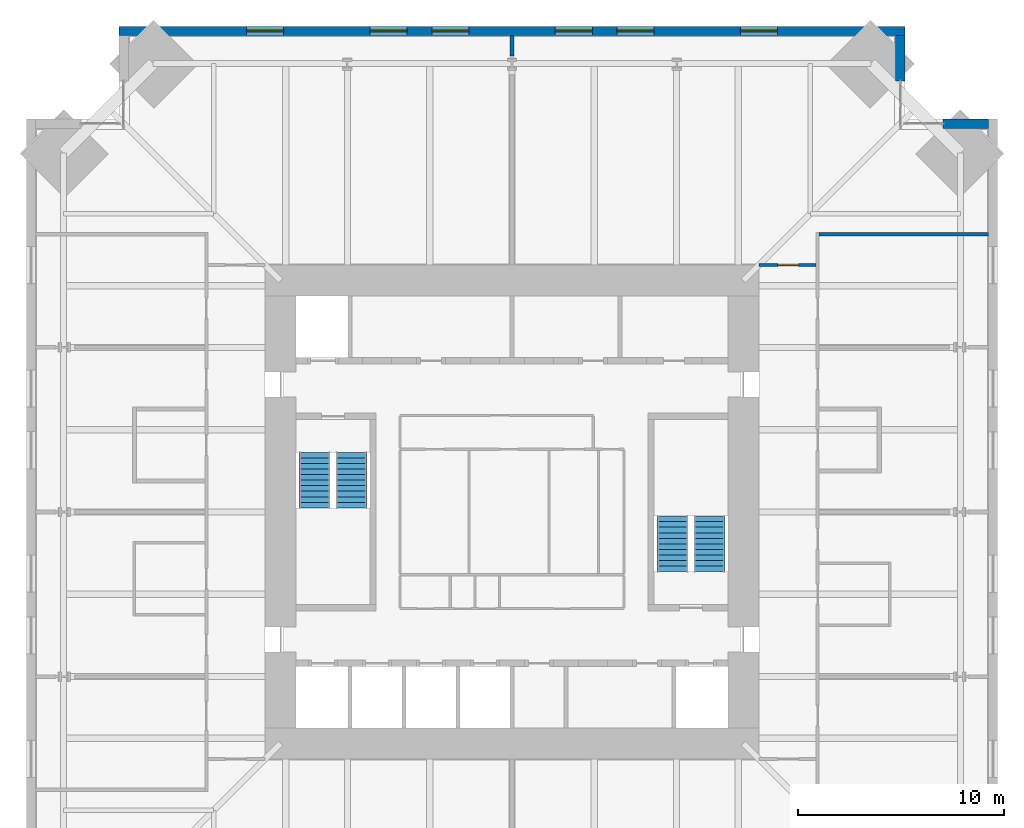
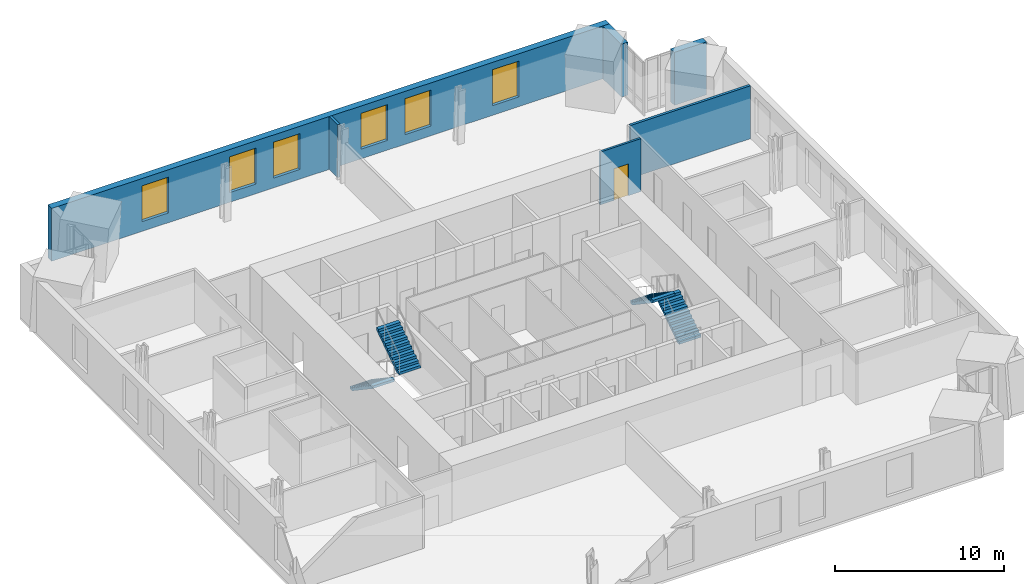
# One storey, part 14 of 15: 6 walls, 6 windows, 4 stair flights, 1 door, 7 openings, 2 elements without a shape of their own.
"""IFC4 building model written with IfcOpenShell, lengths in metres."""

import ifcopenshell
import ifcopenshell.guid

model = None  # the IFC model being written
_history = None  # IfcOwnerHistory: only IFC2X3 demands one
_inside = {}  # id of a spatial element -> (the spatial element, [elements in it])
_under = {}  # id of a project, library or spatial element -> (it, [spatial elements below it])
_declared = {}  # id of a project -> (the project, [libraries it declares])
_typed = {}  # id of a type object -> (the type object, [elements of that type])
_made_of = {}  # id of a material, layer set ... -> (it, [elements and type objects made of it])


def new_model(schema):
    """Start an empty IFC model of exactly this schema.

    Asked for "IFC4X3", IfcOpenShell would pick the latest addendum, in which some entities
    have other attributes; the version numbers below select the first issue.
    IFC2X3 requires an IfcOwnerHistory on every rooted entity: one is made here for all.
    """
    global model, _history
    if schema == "IFC4X3":
        model = ifcopenshell.file(schema_version=(4, 3, 0, 0))
    else:
        model = ifcopenshell.file(schema=schema)
    _inside.clear()
    _under.clear()
    _declared.clear()
    _typed.clear()
    _made_of.clear()
    _history = None
    if model.schema == "IFC2X3":
        org = make("IfcOrganization", Name="unknown")
        user = make(
            "IfcPersonAndOrganization",
            ThePerson=make("IfcPerson", FamilyName="unknown"),
            TheOrganization=org,
        )
        app = make(
            "IfcApplication",
            ApplicationDeveloper=org,
            Version="unknown",
            ApplicationFullName="unknown",
            ApplicationIdentifier="unknown",
        )
        _history = make(
            "IfcOwnerHistory",
            OwningUser=user,
            OwningApplication=app,
            ChangeAction="ADDED",
            CreationDate=0,
        )
    return model


def make(cls, **values):
    """One entity of the class cls with the attributes given. An attribute that is None is left unset."""
    return model.create_entity(
        cls, **{name: value for name, value in values.items() if value is not None}
    )


def rooted(cls, **values):
    """An entity with a GlobalId (a new one), such as an element, a storey or a relation."""
    return make(cls, GlobalId=ifcopenshell.guid.new(), OwnerHistory=_history, **values)


def si_unit(unit_type, name, prefix=None):
    """IfcSIUnit, for example si_unit("LENGTHUNIT", "METRE", prefix="MILLI")."""
    return make("IfcSIUnit", UnitType=unit_type, Prefix=prefix, Name=name)


def assignment(units):
    """IfcUnitAssignment: the units of a project."""
    return None if units is None else make("IfcUnitAssignment", Units=units)


def point(xyz):
    """IfcCartesianPoint."""
    return None if xyz is None else make("IfcCartesianPoint", Coordinates=xyz)


def direction(xyz):
    """IfcDirection."""
    return None if xyz is None else make("IfcDirection", DirectionRatios=xyz)


def frame(location, z_axis=None, x_axis=None):
    """IfcAxis2Placement3D, a coordinate frame: its origin and axes. An axis left out is left unset."""
    return make(
        "IfcAxis2Placement3D",
        Location=point(location),
        Axis=direction(z_axis),
        RefDirection=direction(x_axis),
    )


def frame_2d(location, x_axis=None):
    """IfcAxis2Placement2D, a coordinate frame in the plane: its origin and x axis."""
    return make(
        "IfcAxis2Placement2D", Location=point(location), RefDirection=direction(x_axis)
    )


def origin():
    """The frame at (0, 0, 0) with its axes left unset."""
    return frame((0.0, 0.0, 0.0))


def place(relative_to, where):
    """IfcLocalPlacement: puts the frame where relative to a parent placement (None: the world)."""
    return make(
        "IfcLocalPlacement", PlacementRelTo=relative_to, RelativePlacement=where
    )


def context(
    kind, dimensions, precision=None, world=None, true_north=None, identifier=None
):
    """IfcGeometricRepresentationContext, for example the 3D "Model" context."""
    return make(
        "IfcGeometricRepresentationContext",
        ContextIdentifier=identifier,
        ContextType=kind,
        CoordinateSpaceDimension=dimensions,
        Precision=precision,
        WorldCoordinateSystem=world,
        TrueNorth=true_north,
    )


def subcontext(parent, identifier, kind, view, scale=None):
    """IfcGeometricRepresentationSubContext, for example "Body" below "Model"."""
    return make(
        "IfcGeometricRepresentationSubContext",
        ContextIdentifier=identifier,
        ContextType=kind,
        ParentContext=parent,
        TargetScale=scale,
        TargetView=view,
    )


def project(units=None, contexts=None):
    """IfcProject with its units and contexts."""
    return rooted(
        "IfcProject",
        Name="project",
        RepresentationContexts=contexts,
        UnitsInContext=assignment(units),
    )


def spatial(cls, under=None, at=None, **own):
    """A site, building, storey or space (cls), placed at a placement, below another one or the project."""
    s = rooted(cls, ObjectPlacement=at, **own)
    if under is not None:
        _under.setdefault(under.id(), (under, []))[1].append(s)
    return s


def polyline(points):
    """IfcPolyline through the points."""
    return make("IfcPolyline", Points=[point(p) for p in points])


def profile(cls, at=None, kind="AREA", **sizes):
    """A parametric profile (cls). Its sizes go by their IFC names, for example OverallWidth=200.0."""
    return make(cls, ProfileType=kind, Position=at, **sizes)


def rectangle(**sizes):
    """IfcRectangleProfileDef."""
    return profile("IfcRectangleProfileDef", **sizes)


def outline(outer, holes=None, kind="AREA"):
    """IfcArbitraryClosedProfileDef: a profile drawn as a closed curve; with holes, ...WithVoids."""
    if holes is None:
        return make("IfcArbitraryClosedProfileDef", ProfileType=kind, OuterCurve=outer)
    return make(
        "IfcArbitraryProfileDefWithVoids",
        ProfileType=kind,
        OuterCurve=outer,
        InnerCurves=holes,
    )


def extrude(swept, where, along, depth):
    """IfcExtrudedAreaSolid: the profile swept, set in the frame where, extruded along a direction by depth."""
    return make(
        "IfcExtrudedAreaSolid",
        SweptArea=swept,
        Position=where,
        ExtrudedDirection=direction(along),
        Depth=depth,
    )


def shape(context_of_items, identifier, shape_type, items):
    """IfcShapeRepresentation: the items that make up one representation, for example the "Body"."""
    return make(
        "IfcShapeRepresentation",
        ContextOfItems=context_of_items,
        RepresentationIdentifier=identifier,
        RepresentationType=shape_type,
        Items=items,
    )


def material(Name=None, Category=None):
    """IfcMaterial."""
    return make("IfcMaterial", Name=Name, Category=Category)


def layer(
    of_material, thickness, ventilated=None, Name=None, Category=None, Priority=None
):
    """IfcMaterialLayer: one layer of a wall or slab, of a material (None: an air gap)."""
    return make(
        "IfcMaterialLayer",
        Material=of_material,
        LayerThickness=thickness,
        IsVentilated=ventilated,
        Name=Name,
        Category=Category,
        Priority=Priority,
    )


def layer_set(layers, Name=None):
    """IfcMaterialLayerSet."""
    return make("IfcMaterialLayerSet", MaterialLayers=layers, LayerSetName=Name)


def made_of(thing, what):
    """Note that an element or type object is made of a material, layer set ...; save() writes the relation."""
    if what is not None:
        _made_of.setdefault(what.id(), (what, []))[1].append(thing)
    return thing


def type_object(cls, material=None, **own):
    """A type object (cls), such as IfcWallType, which elements share."""
    return made_of(rooted(cls, **own), material)


def element(
    cls,
    number,
    at=None,
    inside=None,
    cuts=None,
    type_object=None,
    material=None,
    context=None,
    identifier="Body",
    shape_type=None,
    held_by="IfcProductDefinitionShape",
    body=None,
    shapes=None,
    **own,
):
    """One element of the class cls, such as IfcWall. Its Tag is "e" and its number.

    at: its placement. inside: the storey or other place that contains it. cuts: it is an
    opening in that element (IfcRelVoidsElement). A single representation is given by context,
    identifier, shape_type and body (its items); several are given by shapes. held_by: the class
    of the entity that holds the representations. save() writes the other relations.
    """
    e = rooted(cls, Tag="e%d" % number, ObjectPlacement=at, **own)
    if body is not None:
        shapes = [shape(context, identifier, shape_type, body)]
    if shapes is not None:
        e.Representation = make(held_by, Representations=shapes)
    if inside is not None:
        _inside.setdefault(inside.id(), (inside, []))[1].append(e)
    if cuts is not None:
        rooted(
            "IfcRelVoidsElement", RelatingBuildingElement=cuts, RelatedOpeningElement=e
        )
    if type_object is not None:
        _typed.setdefault(type_object.id(), (type_object, []))[1].append(e)
    return made_of(e, material)


def fill(opening, filler):
    """IfcRelFillsElement: the door or window that sits in an opening."""
    return rooted(
        "IfcRelFillsElement",
        RelatingOpeningElement=opening,
        RelatedBuildingElement=filler,
    )


def aggregate(whole, parts):
    """IfcRelAggregates: a whole, such as a stair, and the parts it consists of."""
    return rooted("IfcRelAggregates", RelatingObject=whole, RelatedObjects=parts)


def save(model, path):
    """Write the relations noted so far, then the file.

    IfcRelAggregates (storeys below a building ...), IfcRelContainedInSpatialStructure (elements
    in a storey), IfcRelDefinesByType, IfcRelAssociatesMaterial and IfcRelDeclares: one each for
    every whole, place, type object, material and project.
    """
    for whole, parts in _under.values():
        aggregate(whole, parts)
    for where, things in _inside.values():
        rooted(
            "IfcRelContainedInSpatialStructure",
            RelatedElements=things,
            RelatingStructure=where,
        )
    for kind, things in _typed.values():
        rooted("IfcRelDefinesByType", RelatedObjects=things, RelatingType=kind)
    for what, things in _made_of.values():
        rooted("IfcRelAssociatesMaterial", RelatedObjects=things, RelatingMaterial=what)
    for by, libraries in _declared.values():
        rooted("IfcRelDeclares", RelatingContext=by, RelatedDefinitions=libraries)
    model.write(path)


model = new_model("IFC4")

# Units and contexts
model_context = context("Model", 3, precision=1e-05, world=origin(), true_north=direction((0.0, 1.0)))
body_context = subcontext(model_context, "Body", "Model", "MODEL_VIEW")
ifc_project = project(units=[si_unit("LENGTHUNIT", "METRE"), si_unit("AREAUNIT", "SQUARE_METRE"), si_unit("VOLUMEUNIT", "CUBIC_METRE"), si_unit("PLANEANGLEUNIT", "RADIAN"), si_unit("MASSUNIT", "GRAM", prefix="KILO")], contexts=[model_context])

# Site, building, storey
site_placement = place(None, origin())
site = spatial("IfcSite", under=ifc_project, at=site_placement, CompositionType="ELEMENT")
building_placement = place(site_placement, origin())
building = spatial("IfcBuilding", under=site, at=building_placement, Name="Peilmerk Tower", CompositionType="ELEMENT")
storey_placement = place(building_placement, frame((0.0, 0.0, 225.800048828125)))
storey = spatial("IfcBuildingStorey", under=building, at=storey_placement, Name="L49", CompositionType="ELEMENT", Elevation=225.800048828125)

# Wall, openings, windows
ifc_material_1 = material(Name="Precast concrete C45/55, board-marked finish", Category="concrete")
ifc_layer_1 = layer(ifc_material_1, 0.449951171875)
ifc_layer_set_1 = layer_set([ifc_layer_1], Name="Precast concrete C45/55, board-marked finish")
wall_type_1 = type_object("IfcWallType", Name="EW1 450 precast concrete facade wall, board-marked", PredefinedType="SOLIDWALL", material=ifc_layer_set_1)
wall_1_placement = place(storey_placement, frame((19.10009765625, 23.375, 0.0), z_axis=(0.0, 0.0, 1.0), x_axis=(-1.0, 0.0, 0.0)))
wall_1 = element("IfcWall", 1, at=wall_1_placement, inside=storey, type_object=wall_type_1, Name="Facade wall N L49", PredefinedType="SOLIDWALL", context=body_context, shape_type="SweptSolid", body=[
    extrude(rectangle(XDim=38.2001953125, YDim=0.449951171875, at=frame_2d((19.10009765625, 0.0))), origin(), (0.0, 0.0, 1.0), 3.829833984375),
])
opening_1_placement = place(wall_1_placement, frame((6.199951171875, 0.0, 0.699951171875)))
opening_1 = element("IfcOpeningElement", 2, at=opening_1_placement, cuts=wall_1, Name="Opening W1", PredefinedType="OPENING", context=body_context, shape_type="SweptSolid", body=[
    extrude(rectangle(XDim=1.800048828125, YDim=2.60009765625, at=frame_2d((0.89990234375, 1.300048828125))), frame((0.0, 0.23486328125, 0.0), z_axis=(0.0, -1.0, 0.0), x_axis=(1.0, 0.0, 0.0)), (0.0, 0.0, 1.0), 0.469970703125),
])
opening_2_placement = place(wall_1_placement, frame((12.199951171875, 0.0, 0.699951171875)))
opening_2 = element("IfcOpeningElement", 3, at=opening_2_placement, cuts=wall_1, Name="Opening W1", PredefinedType="OPENING", context=body_context, shape_type="SweptSolid", body=[
    extrude(rectangle(XDim=1.800048828125, YDim=2.60009765625, at=frame_2d((0.89990234375, 1.300048828125))), frame((0.0, 0.23486328125, 0.0), z_axis=(0.0, -1.0, 0.0), x_axis=(1.0, 0.0, 0.0)), (0.0, 0.0, 1.0), 0.469970703125),
])
opening_3_placement = place(wall_1_placement, frame((15.199951171875, 0.0, 0.699951171875)))
opening_3 = element("IfcOpeningElement", 4, at=opening_3_placement, cuts=wall_1, Name="Opening W1", PredefinedType="OPENING", context=body_context, shape_type="SweptSolid", body=[
    extrude(rectangle(XDim=1.800048828125, YDim=2.60009765625, at=frame_2d((0.89990234375, 1.300048828125))), frame((0.0, 0.23486328125, 0.0), z_axis=(0.0, -1.0, 0.0), x_axis=(1.0, 0.0, 0.0)), (0.0, 0.0, 1.0), 0.469970703125),
])
opening_4_placement = place(wall_1_placement, frame((21.199951171875, 0.0, 0.699951171875)))
opening_4 = element("IfcOpeningElement", 5, at=opening_4_placement, cuts=wall_1, Name="Opening W1", PredefinedType="OPENING", context=body_context, shape_type="SweptSolid", body=[
    extrude(rectangle(XDim=1.800048828125, YDim=2.60009765625, at=frame_2d((0.89990234375, 1.300048828125))), frame((0.0, 0.23486328125, 0.0), z_axis=(0.0, -1.0, 0.0), x_axis=(1.0, 0.0, 0.0)), (0.0, 0.0, 1.0), 0.469970703125),
])
opening_5_placement = place(wall_1_placement, frame((24.199951171875, 0.0, 0.699951171875)))
opening_5 = element("IfcOpeningElement", 6, at=opening_5_placement, cuts=wall_1, Name="Opening W1", PredefinedType="OPENING", context=body_context, shape_type="SweptSolid", body=[
    extrude(rectangle(XDim=1.800048828125, YDim=2.60009765625, at=frame_2d((0.89990234375, 1.300048828125))), frame((0.0, 0.23486328125, 0.0), z_axis=(0.0, -1.0, 0.0), x_axis=(1.0, 0.0, 0.0)), (0.0, 0.0, 1.0), 0.469970703125),
])
opening_6_placement = place(wall_1_placement, frame((30.199951171875, 0.0, 0.699951171875)))
opening_6 = element("IfcOpeningElement", 7, at=opening_6_placement, cuts=wall_1, Name="Opening W1", PredefinedType="OPENING", context=body_context, shape_type="SweptSolid", body=[
    extrude(rectangle(XDim=1.800048828125, YDim=2.60009765625, at=frame_2d((0.89990234375, 1.300048828125))), frame((0.0, 0.23486328125, 0.0), z_axis=(0.0, -1.0, 0.0), x_axis=(1.0, 0.0, 0.0)), (0.0, 0.0, 1.0), 0.469970703125),
])
ifc_material_2 = material(Name="Aluminium frame, clear double glazing", Category="aluminium")
window_type = type_object("IfcWindowType", Name="W1 1800x2600 office window", PartitioningType="SINGLE_PANEL", PredefinedType="WINDOW", material=ifc_material_2)
window_1_placement = place(opening_1_placement, origin())
window_1 = element("IfcWindow", 8, at=window_1_placement, inside=storey, type_object=window_type, Name="Window W1 L49", OverallHeight=2.60009765625, OverallWidth=1.800048828125, PartitioningType="SINGLE_PANEL", PredefinedType="WINDOW", context=body_context, shape_type="SweptSolid", body=[
    extrude(rectangle(XDim=1.800048828125, YDim=2.60009765625, at=frame_2d((0.89990234375, 1.300048828125))), frame((0.0, 0.030029296875, 0.0), z_axis=(0.0, -1.0, 0.0), x_axis=(1.0, 0.0, 0.0)), (0.0, 0.0, 1.0), 0.06005859375),
])
fill(opening_1, window_1)
window_2_placement = place(opening_2_placement, origin())
window_2 = element("IfcWindow", 9, at=window_2_placement, inside=storey, type_object=window_type, Name="Window W1 L49", OverallHeight=2.60009765625, OverallWidth=1.800048828125, PartitioningType="SINGLE_PANEL", PredefinedType="WINDOW", context=body_context, shape_type="SweptSolid", body=[
    extrude(rectangle(XDim=1.800048828125, YDim=2.60009765625, at=frame_2d((0.89990234375, 1.300048828125))), frame((0.0, 0.030029296875, 0.0), z_axis=(0.0, -1.0, 0.0), x_axis=(1.0, 0.0, 0.0)), (0.0, 0.0, 1.0), 0.06005859375),
])
fill(opening_2, window_2)
window_3_placement = place(opening_3_placement, origin())
window_3 = element("IfcWindow", 10, at=window_3_placement, inside=storey, type_object=window_type, Name="Window W1 L49", OverallHeight=2.60009765625, OverallWidth=1.800048828125, PartitioningType="SINGLE_PANEL", PredefinedType="WINDOW", context=body_context, shape_type="SweptSolid", body=[
    extrude(rectangle(XDim=1.800048828125, YDim=2.60009765625, at=frame_2d((0.89990234375, 1.300048828125))), frame((0.0, 0.030029296875, 0.0), z_axis=(0.0, -1.0, 0.0), x_axis=(1.0, 0.0, 0.0)), (0.0, 0.0, 1.0), 0.06005859375),
])
fill(opening_3, window_3)
window_4_placement = place(opening_4_placement, origin())
window_4 = element("IfcWindow", 11, at=window_4_placement, inside=storey, type_object=window_type, Name="Window W1 L49", OverallHeight=2.60009765625, OverallWidth=1.800048828125, PartitioningType="SINGLE_PANEL", PredefinedType="WINDOW", context=body_context, shape_type="SweptSolid", body=[
    extrude(rectangle(XDim=1.800048828125, YDim=2.60009765625, at=frame_2d((0.89990234375, 1.300048828125))), frame((0.0, 0.030029296875, 0.0), z_axis=(0.0, -1.0, 0.0), x_axis=(1.0, 0.0, 0.0)), (0.0, 0.0, 1.0), 0.06005859375),
])
fill(opening_4, window_4)
window_5_placement = place(opening_5_placement, origin())
window_5 = element("IfcWindow", 12, at=window_5_placement, inside=storey, type_object=window_type, Name="Window W1 L49", OverallHeight=2.60009765625, OverallWidth=1.800048828125, PartitioningType="SINGLE_PANEL", PredefinedType="WINDOW", context=body_context, shape_type="SweptSolid", body=[
    extrude(rectangle(XDim=1.800048828125, YDim=2.60009765625, at=frame_2d((0.89990234375, 1.300048828125))), frame((0.0, 0.030029296875, 0.0), z_axis=(0.0, -1.0, 0.0), x_axis=(1.0, 0.0, 0.0)), (0.0, 0.0, 1.0), 0.06005859375),
])
fill(opening_5, window_5)
window_6_placement = place(opening_6_placement, origin())
window_6 = element("IfcWindow", 13, at=window_6_placement, inside=storey, type_object=window_type, Name="Window W1 L49", OverallHeight=2.60009765625, OverallWidth=1.800048828125, PartitioningType="SINGLE_PANEL", PredefinedType="WINDOW", context=body_context, shape_type="SweptSolid", body=[
    extrude(rectangle(XDim=1.800048828125, YDim=2.60009765625, at=frame_2d((0.89990234375, 1.300048828125))), frame((0.0, 0.030029296875, 0.0), z_axis=(0.0, -1.0, 0.0), x_axis=(1.0, 0.0, 0.0)), (0.0, 0.0, 1.0), 0.06005859375),
])
fill(opening_6, window_6)

# Walls
for number, where, z_axis, x_axis, name in (
    (14, (18.875, 20.95361328125, 0.0), (0.0, 0.0, 1.0), (0.0, 1.0, 0.0), "Facade wall NEA L49"),
    (15, (20.95361328125, 18.875, 0.0), (0.0, 0.0, 1.0), (1.0, 0.0, 0.0), "Facade wall NEB L49"),
):
    element("IfcWall", number, at=place(storey_placement, frame(where, z_axis=z_axis, x_axis=x_axis)), inside=storey, type_object=wall_type_1, Name=name, PredefinedType="SOLIDWALL", context=body_context, shape_type="SweptSolid", body=[
        extrude(rectangle(XDim=2.1962890625, YDim=0.449951171875, at=frame_2d((1.09814453125, 0.0))), origin(), (0.0, 0.0, 1.0), 3.829833984375),
    ])

# Wall, opening, door
ifc_material_3 = material(Name="Calcium silicate block", Category="masonry")
ifc_layer_2 = layer(ifc_material_3, 0.14990234375)
ifc_layer_set_2 = layer_set([ifc_layer_2], Name="Calcium silicate block")
wall_type_2 = type_object("IfcWallType", Name="IW1 150 corridor partition, EI 60", PredefinedType="PARTITIONING", material=ifc_layer_set_2)
wall_2_placement = place(storey_placement, frame((12.0, 12.0, 0.0), z_axis=(0.0, 0.0, 1.0), x_axis=(1.0, 0.0, 0.0)))
wall_2 = element("IfcWall", 16, at=wall_2_placement, inside=storey, type_object=wall_type_2, Name="Corridor wall NE L49", PredefinedType="PARTITIONING", context=body_context, shape_type="SweptSolid", body=[
    extrude(rectangle(XDim=2.77490234375, YDim=0.14990234375, at=frame_2d((1.387451171875, 0.0))), origin(), (0.0, 0.0, 1.0), 3.829833984375),
])
opening_7_placement = place(wall_2_placement, frame((0.925048828125, 0.0, 0.0)))
opening_7 = element("IfcOpeningElement", 17, at=opening_7_placement, cuts=wall_2, Name="Opening D1", PredefinedType="OPENING", context=body_context, shape_type="SweptSolid", body=[
    extrude(rectangle(XDim=1.0, YDim=2.300048828125, at=frame_2d((0.5, 1.14990234375))), frame((0.0, 0.0849609375, 0.0), z_axis=(0.0, -1.0, 0.0), x_axis=(1.0, 0.0, 0.0)), (0.0, 0.0, 1.0), 0.169921875),
])
ifc_material_4 = material(Name="Timber door in steel frame", Category="steel")
door_type = type_object("IfcDoorType", Name="D1 1000x2300 room door, EI2 30", OperationType="SINGLE_SWING_LEFT", PredefinedType="DOOR", material=ifc_material_4)
door_placement = place(opening_7_placement, origin())
door = element("IfcDoor", 18, at=door_placement, inside=storey, type_object=door_type, Name="Door Office L49", OperationType="SINGLE_SWING_LEFT", OverallHeight=2.300048828125, OverallWidth=1.0, PredefinedType="DOOR", context=body_context, shape_type="SweptSolid", body=[
    extrude(rectangle(XDim=1.0, YDim=2.300048828125, at=frame_2d((0.5, 1.14990234375))), frame((0.0, 0.02490234375, 0.0), z_axis=(0.0, -1.0, 0.0), x_axis=(1.0, 0.0, 0.0)), (0.0, 0.0, 1.0), 0.050048828125),
])
fill(opening_7, door)

# Walls
ifc_layer_3 = layer(ifc_material_3, 0.175048828125)
ifc_layer_set_3 = layer_set([ifc_layer_3], Name="Calcium silicate block")
wall_type_3 = type_object("IfcWallType", Name="IW8 175 tenant separating wall, EI 60", PredefinedType="PARTITIONING", material=ifc_layer_set_3)
wall_3_placement = place(storey_placement, frame((14.925048828125, 13.5, 0.0), z_axis=(0.0, 0.0, 1.0), x_axis=(1.0, 0.0, 0.0)))
element("IfcWall", 19, at=wall_3_placement, inside=storey, type_object=wall_type_3, Name="Tenant separating wall NE L49", PredefinedType="PARTITIONING", context=body_context, shape_type="SweptSolid", body=[
    extrude(rectangle(XDim=8.224853515625, YDim=0.175048828125, at=frame_2d((4.1123046875, 0.0))), origin(), (0.0, 0.0, 1.0), 3.829833984375),
])
wall_4_placement = place(storey_placement, frame((0.0, 22.156005859375, 0.0), z_axis=(0.0, 0.0, 1.0), x_axis=(0.0, 1.0, 0.0)))
element("IfcWall", 20, at=wall_4_placement, inside=storey, type_object=wall_type_3, Name="Tenant separating wall N1b L49", PredefinedType="PARTITIONING", context=body_context, shape_type="SweptSolid", body=[
    extrude(rectangle(XDim=0.993896484375, YDim=0.175048828125, at=frame_2d((0.4970703125, 0.0))), origin(), (0.0, 0.0, 1.0), 3.829833984375),
])

# Stair, stair flights
ifc_material_5 = material(Name="Precast concrete C45/55", Category="concrete")
stair_type_1 = type_object("IfcStairType", Name="ST1 22 risers of 181.8", PredefinedType="HALF_TURN_STAIR", material=ifc_material_5)
stair_1_placement = place(storey_placement, origin())
stair_1 = element("IfcStair", 21, at=stair_1_placement, inside=storey, type_object=stair_type_1, Name="Stair 1 L49 to L50", PredefinedType="HALF_TURN_STAIR")
stair_flight_type = type_object("IfcStairFlightType", Name="SF11 flight, 11 risers of 181.8", PredefinedType="STRAIGHT", material=ifc_material_5)
stair_flight_1_placement = place(storey_placement, frame((-9.60009765625, 2.89990234375, 0.0), z_axis=(0.0, 0.0, 1.0), x_axis=(0.0, -1.0, 0.0)))
stair_flight_1 = element("IfcStairFlight", 22, at=stair_flight_1_placement, type_object=stair_flight_type, Name="ST1 flight 1", NumberOfRisers=11, NumberOfTreads=10, PredefinedType="STRAIGHT", RiserHeight=0.181818182, TreadLength=0.27, context=body_context, shape_type="SweptSolid", body=[
    extrude(outline(polyline([(0.0, 0.0), (0.0, 0.181884765625), (0.27001953125, 0.181884765625), (0.27001953125, 0.363525390625), (0.5400390625, 0.363525390625), (0.5400390625, 0.54541015625), (0.81005859375, 0.54541015625), (0.81005859375, 0.727294921875), (1.080078125, 0.727294921875), (1.080078125, 0.9091796875), (1.35009765625, 0.9091796875), (1.35009765625, 1.0908203125), (1.6201171875, 1.0908203125), (1.6201171875, 1.272705078125), (1.889892578125, 1.272705078125), (1.889892578125, 1.45458984375), (2.159912109375, 1.45458984375), (2.159912109375, 1.636474609375), (2.429931640625, 1.636474609375), (2.429931640625, 1.818115234375), (2.699951171875, 1.818115234375), (2.699951171875, 2.0), (2.699951171875, 1.637451171875), (0.268310546875, 0.0), (0.0, 0.0)])), frame((0.0, 0.75, 0.0), z_axis=(0.0, -1.0, 0.0), x_axis=(1.0, 0.0, 0.0)), (0.0, 0.0, 1.0), 1.5),
])
stair_flight_2_placement = place(storey_placement, frame((-7.800048828125, 0.199951171875, 2.0), z_axis=(0.0, 0.0, 1.0), x_axis=(0.0, 1.0, 0.0)))
stair_flight_2 = element("IfcStairFlight", 23, at=stair_flight_2_placement, type_object=stair_flight_type, Name="ST1 flight 2", NumberOfRisers=11, NumberOfTreads=10, PredefinedType="STRAIGHT", RiserHeight=0.181818182, TreadLength=0.27, context=body_context, shape_type="SweptSolid", body=[
    extrude(outline(polyline([(0.0, 0.0), (0.0, 0.181884765625), (0.27001953125, 0.181884765625), (0.27001953125, 0.363525390625), (0.5400390625, 0.363525390625), (0.5400390625, 0.54541015625), (0.81005859375, 0.54541015625), (0.81005859375, 0.727294921875), (1.080078125, 0.727294921875), (1.080078125, 0.9091796875), (1.35009765625, 0.9091796875), (1.35009765625, 1.0908203125), (1.6201171875, 1.0908203125), (1.6201171875, 1.272705078125), (1.889892578125, 1.272705078125), (1.889892578125, 1.45458984375), (2.159912109375, 1.45458984375), (2.159912109375, 1.636474609375), (2.429931640625, 1.636474609375), (2.429931640625, 1.818115234375), (2.699951171875, 1.818115234375), (2.699951171875, 2.0), (2.699951171875, 1.637451171875), (0.268310546875, 0.0), (0.0, 0.0)])), frame((0.0, 0.75, 0.0), z_axis=(0.0, -1.0, 0.0), x_axis=(1.0, 0.0, 0.0)), (0.0, 0.0, 1.0), 1.5),
])
aggregate(stair_1, [stair_flight_1, stair_flight_2])

stair_type_2 = type_object("IfcStairType", Name="ST2 22 risers of 181.8", PredefinedType="HALF_TURN_STAIR", material=ifc_material_5)
stair_2_placement = place(storey_placement, origin())
stair_2 = element("IfcStair", 24, at=stair_2_placement, inside=storey, type_object=stair_type_2, Name="Stair 2 L49 to L50", PredefinedType="HALF_TURN_STAIR")
stair_flight_3_placement = place(storey_placement, frame((9.60009765625, -2.89990234375, 0.0), z_axis=(0.0, 0.0, 1.0), x_axis=(0.0, 1.0, 0.0)))
stair_flight_3 = element("IfcStairFlight", 25, at=stair_flight_3_placement, type_object=stair_flight_type, Name="ST2 flight 1", NumberOfRisers=11, NumberOfTreads=10, PredefinedType="STRAIGHT", RiserHeight=0.181818182, TreadLength=0.27, context=body_context, shape_type="SweptSolid", body=[
    extrude(outline(polyline([(0.0, 0.0), (0.0, 0.181884765625), (0.27001953125, 0.181884765625), (0.27001953125, 0.363525390625), (0.5400390625, 0.363525390625), (0.5400390625, 0.54541015625), (0.81005859375, 0.54541015625), (0.81005859375, 0.727294921875), (1.080078125, 0.727294921875), (1.080078125, 0.9091796875), (1.35009765625, 0.9091796875), (1.35009765625, 1.0908203125), (1.6201171875, 1.0908203125), (1.6201171875, 1.272705078125), (1.889892578125, 1.272705078125), (1.889892578125, 1.45458984375), (2.159912109375, 1.45458984375), (2.159912109375, 1.636474609375), (2.429931640625, 1.636474609375), (2.429931640625, 1.818115234375), (2.699951171875, 1.818115234375), (2.699951171875, 2.0), (2.699951171875, 1.637451171875), (0.268310546875, 0.0), (0.0, 0.0)])), frame((0.0, 0.75, 0.0), z_axis=(0.0, -1.0, 0.0), x_axis=(1.0, 0.0, 0.0)), (0.0, 0.0, 1.0), 1.5),
])
stair_flight_4_placement = place(storey_placement, frame((7.800048828125, -0.199951171875, 2.0), z_axis=(0.0, 0.0, 1.0), x_axis=(0.0, -1.0, 0.0)))
stair_flight_4 = element("IfcStairFlight", 26, at=stair_flight_4_placement, type_object=stair_flight_type, Name="ST2 flight 2", NumberOfRisers=11, NumberOfTreads=10, PredefinedType="STRAIGHT", RiserHeight=0.181818182, TreadLength=0.27, context=body_context, shape_type="SweptSolid", body=[
    extrude(outline(polyline([(0.0, 0.0), (0.0, 0.181884765625), (0.27001953125, 0.181884765625), (0.27001953125, 0.363525390625), (0.5400390625, 0.363525390625), (0.5400390625, 0.54541015625), (0.81005859375, 0.54541015625), (0.81005859375, 0.727294921875), (1.080078125, 0.727294921875), (1.080078125, 0.9091796875), (1.35009765625, 0.9091796875), (1.35009765625, 1.0908203125), (1.6201171875, 1.0908203125), (1.6201171875, 1.272705078125), (1.889892578125, 1.272705078125), (1.889892578125, 1.45458984375), (2.159912109375, 1.45458984375), (2.159912109375, 1.636474609375), (2.429931640625, 1.636474609375), (2.429931640625, 1.818115234375), (2.699951171875, 1.818115234375), (2.699951171875, 2.0), (2.699951171875, 1.637451171875), (0.268310546875, 0.0), (0.0, 0.0)])), frame((0.0, 0.75, 0.0), z_axis=(0.0, -1.0, 0.0), x_axis=(1.0, 0.0, 0.0)), (0.0, 0.0, 1.0), 1.5),
])
aggregate(stair_2, [stair_flight_3, stair_flight_4])

save(model, "model.ifc")
